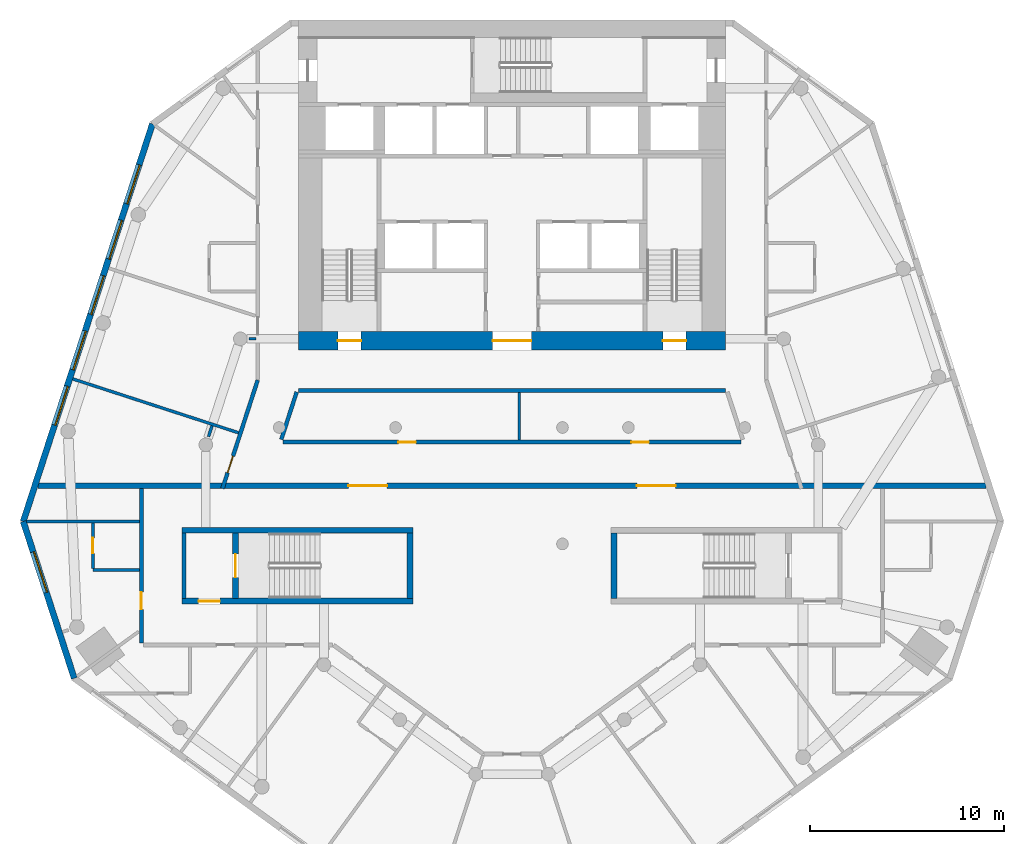
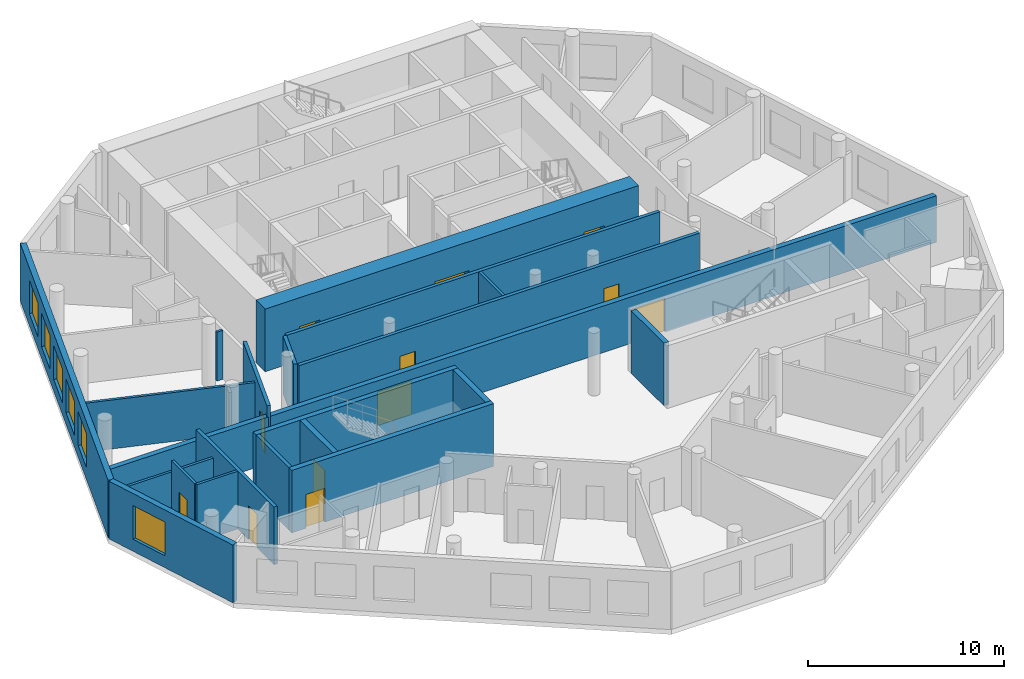
# One storey, part 3 of 9: 22 walls, 12 doors, 6 windows, 18 openings.
"""IFC4 building model written with IfcOpenShell, lengths in metres."""

from ifc_helpers import new_model, si_unit, direction, frame, frame_2d, origin, place, context, subcontext, project, spatial, rectangle, extrude, material, layer, layer_set, type_object, element, fill, save


model = new_model("IFC4")

# Units and contexts
model_context = context("Model", 3, precision=1e-05, world=origin(), true_north=direction((0.0, 1.0)))
body_context = subcontext(model_context, "Body", "Model", "MODEL_VIEW")
ifc_project = project(units=[si_unit("LENGTHUNIT", "METRE"), si_unit("AREAUNIT", "SQUARE_METRE"), si_unit("VOLUMEUNIT", "CUBIC_METRE"), si_unit("PLANEANGLEUNIT", "RADIAN"), si_unit("MASSUNIT", "GRAM", prefix="KILO")], contexts=[model_context])

# Site, building, storey
site_placement = place(None, origin())
site = spatial("IfcSite", under=ifc_project, at=site_placement, CompositionType="ELEMENT")
building_placement = place(site_placement, origin())
building = spatial("IfcBuilding", under=site, at=building_placement, Name="White Candle Pilgrim Tower", CompositionType="ELEMENT")
storey_placement = place(building_placement, frame((0.0, 0.0, 168.10009765625)))
storey = spatial("IfcBuildingStorey", under=building, at=storey_placement, Name="L38", CompositionType="ELEMENT", Elevation=168.10009765625)

# Wall
ifc_material_1 = material(Name="Concrete C60/75", Category="concrete")
ifc_layer_1 = layer(ifc_material_1, 0.199951171875)
ifc_layer_set_1 = layer_set([ifc_layer_1], Name="Core wall 200 mm Concrete C60/75")
wall_type_1 = type_object("IfcWallType", Name="Core wall 200 mm Concrete C60/75", PredefinedType="SHEAR", material=ifc_layer_set_1)
wall_1_placement = place(storey_placement, frame((53.10009765625, 58.199951171875, 0.0), z_axis=(0.0, 0.0, 1.0), x_axis=(0.0, 1.0, 0.0)))
element("IfcWall", 1, at=wall_1_placement, inside=storey, type_object=wall_type_1, Name="WL-L38-C03", PredefinedType="SHEAR", context=body_context, shape_type="SweptSolid", body=[
    extrude(rectangle(XDim=3.35009765625, YDim=0.199951171875, at=frame_2d((1.675048828125, 0.0))), origin(), (0.0, 0.0, 1.0), 3.89990234375),
])

# Wall, opening, door
ifc_material_2 = material(Name="Gypsum board on steel studs", Category="steel")
ifc_layer_2 = layer(ifc_material_2, 0.199951171875)
ifc_layer_set_2 = layer_set([ifc_layer_2], Name="Corridor wall 200 mm EI 45")
wall_type_2 = type_object("IfcWallType", Name="Corridor wall 200 mm EI 45", PredefinedType="PARTITIONING", material=ifc_layer_set_2)
wall_2_placement = place(storey_placement, frame((55.078125, 63.85009765625, 0.0), z_axis=(0.0, 0.0, 1.0), x_axis=(0.309018469575, 0.951056036972, 0.0)))
wall_2 = element("IfcWall", 2, at=wall_2_placement, inside=storey, type_object=wall_type_2, Name="WL-L38-P002", PredefinedType="PARTITIONING", context=body_context, shape_type="SweptSolid", body=[
    extrude(rectangle(XDim=5.879638671875, YDim=0.199951171875, at=frame_2d((2.93994140625, 0.0))), origin(), (0.0, 0.0, 1.0), 3.599853515625),
])
opening_1_placement = place(wall_2_placement, frame((0.861083984375, 0.0, 0.0)))
opening_1 = element("IfcOpeningElement", 3, at=opening_1_placement, cuts=wall_2, Name="Opening T11-124", PredefinedType="OPENING", context=body_context, shape_type="SweptSolid", body=[
    extrude(rectangle(XDim=0.89990234375, YDim=2.10009765625, at=frame_2d((0.449951171875, 1.050048828125))), frame((0.0, 0.10986328125, 0.0), z_axis=(0.0, -1.0, 0.0), x_axis=(1.0, 0.0, 0.0)), (0.0, 0.0, 1.0), 0.219970703125),
])
ifc_material_3 = material(Name="Steel door leaf", Category="steel")
door_type_1 = type_object("IfcDoorType", Name="Fire door 900 x 2100 EI 30", OperationType="NOTDEFINED", PredefinedType="DOOR", material=ifc_material_3)
door_1_placement = place(opening_1_placement, origin())
door_1 = element("IfcDoor", 4, at=door_1_placement, inside=storey, type_object=door_type_1, Name="Door T11-124", OperationType="SINGLE_SWING_RIGHT", OverallHeight=2.10009765625, OverallWidth=0.89990234375, PredefinedType="DOOR", context=body_context, shape_type="SweptSolid", body=[
    extrude(rectangle(XDim=0.89990234375, YDim=2.10009765625, at=frame_2d((0.449951171875, 1.050048828125))), frame((0.0, 0.02490234375, 0.0), z_axis=(0.0, -1.0, 0.0), x_axis=(1.0, 0.0, 0.0)), (0.0, 0.0, 1.0), 0.050048828125),
])
fill(opening_1, door_1)

wall_3_placement = place(storey_placement, frame((50.89990234375, 55.89990234375, 0.0), z_axis=(0.0, 0.0, 1.0), x_axis=(0.0, 1.0, 0.0)))
wall_3 = element("IfcWall", 5, at=wall_3_placement, inside=storey, type_object=wall_type_2, Name="WL-L38-P012", PredefinedType="PARTITIONING", context=body_context, shape_type="SweptSolid", body=[
    extrude(rectangle(XDim=7.9501953125, YDim=0.199951171875, at=frame_2d((3.97509765625, 0.0))), origin(), (0.0, 0.0, 1.0), 3.599853515625),
])
opening_2_placement = place(wall_3_placement, frame((1.72119140625, 0.0, 0.0)))
opening_2 = element("IfcOpeningElement", 6, at=opening_2_placement, cuts=wall_3, Name="Opening T11-103", PredefinedType="OPENING", context=body_context, shape_type="SweptSolid", body=[
    extrude(rectangle(XDim=0.89990234375, YDim=2.10009765625, at=frame_2d((0.449951171875, 1.050048828125))), frame((0.0, 0.10986328125, 0.0), z_axis=(0.0, -1.0, 0.0), x_axis=(1.0, 0.0, 0.0)), (0.0, 0.0, 1.0), 0.219970703125),
])
door_2_placement = place(opening_2_placement, origin())
door_2 = element("IfcDoor", 7, at=door_2_placement, inside=storey, type_object=door_type_1, Name="Door T11-103", OperationType="SINGLE_SWING_LEFT", OverallHeight=2.10009765625, OverallWidth=0.89990234375, PredefinedType="DOOR", context=body_context, shape_type="SweptSolid", body=[
    extrude(rectangle(XDim=0.89990234375, YDim=2.10009765625, at=frame_2d((0.449951171875, 1.050048828125))), frame((0.0, 0.02490234375, 0.0), z_axis=(0.0, -1.0, 0.0), x_axis=(1.0, 0.0, 0.0)), (0.0, 0.0, 1.0), 0.050048828125),
])
fill(opening_2, door_2)

# Walls
wall_4_placement = place(storey_placement, frame((81.000244140625, 68.89990234375, 0.0), z_axis=(0.0, 0.0, 1.0), x_axis=(-1.0, 0.0, 0.0)))
element("IfcWall", 8, at=wall_4_placement, inside=storey, type_object=wall_type_2, Name="WL-L38-P013", PredefinedType="PARTITIONING", context=body_context, shape_type="SweptSolid", body=[
    extrude(rectangle(XDim=22.00048828125, YDim=0.199951171875, at=frame_2d((11.000244140625, 0.0))), origin(), (0.0, 0.0, 1.0), 3.599853515625),
])
wall_5_placement = place(storey_placement, frame((58.90478515625, 68.830810546875, 0.0), z_axis=(0.0, 0.0, 1.0), x_axis=(-0.309053927645, -0.951044515155, 0.0)))
element("IfcWall", 9, at=wall_5_placement, inside=storey, type_object=wall_type_2, Name="WL-L38-P014", PredefinedType="PARTITIONING", context=body_context, shape_type="SweptSolid", body=[
    extrude(rectangle(XDim=2.576171875, YDim=0.199951171875, at=frame_2d((1.2880859375, 0.0))), origin(), (0.0, 0.0, 1.0), 3.599853515625),
])

# Wall, openings, doors
wall_6_placement = place(storey_placement, frame((58.20361328125, 66.25, 0.0), z_axis=(0.0, 0.0, 1.0), x_axis=(1.0, 0.0, 0.0)))
wall_6 = element("IfcWall", 10, at=wall_6_placement, inside=storey, type_object=wall_type_2, Name="WL-L38-P015", PredefinedType="PARTITIONING", context=body_context, shape_type="SweptSolid", body=[
    extrude(rectangle(XDim=23.5927734375, YDim=0.199951171875, at=frame_2d((11.79638671875, 0.0))), origin(), (0.0, 0.0, 1.0), 3.599853515625),
])
opening_3_placement = place(wall_6_placement, frame((5.94091796875, 0.0, 0.0)))
opening_3 = element("IfcOpeningElement", 11, at=opening_3_placement, cuts=wall_6, Name="Opening T11-122", PredefinedType="OPENING", context=body_context, shape_type="SweptSolid", body=[
    extrude(rectangle(XDim=0.89990234375, YDim=2.10009765625, at=frame_2d((0.449951171875, 1.050048828125))), frame((0.0, 0.10986328125, 0.0), z_axis=(0.0, -1.0, 0.0), x_axis=(1.0, 0.0, 0.0)), (0.0, 0.0, 1.0), 0.219970703125),
])
opening_4_placement = place(wall_6_placement, frame((17.949951171875, 0.0, 0.0)))
opening_4 = element("IfcOpeningElement", 12, at=opening_4_placement, cuts=wall_6, Name="Opening T11-123", PredefinedType="OPENING", context=body_context, shape_type="SweptSolid", body=[
    extrude(rectangle(XDim=0.89990234375, YDim=2.10009765625, at=frame_2d((0.449951171875, 1.050048828125))), frame((0.0, 0.10986328125, 0.0), z_axis=(0.0, -1.0, 0.0), x_axis=(1.0, 0.0, 0.0)), (0.0, 0.0, 1.0), 0.219970703125),
])
door_3_placement = place(opening_3_placement, origin())
door_3 = element("IfcDoor", 13, at=door_3_placement, inside=storey, type_object=door_type_1, Name="Door T11-122", OperationType="SINGLE_SWING_RIGHT", OverallHeight=2.10009765625, OverallWidth=0.89990234375, PredefinedType="DOOR", context=body_context, shape_type="SweptSolid", body=[
    extrude(rectangle(XDim=0.89990234375, YDim=2.10009765625, at=frame_2d((0.449951171875, 1.050048828125))), frame((0.0, 0.02490234375, 0.0), z_axis=(0.0, -1.0, 0.0), x_axis=(1.0, 0.0, 0.0)), (0.0, 0.0, 1.0), 0.050048828125),
])
fill(opening_3, door_3)
door_4_placement = place(opening_4_placement, origin())
door_4 = element("IfcDoor", 14, at=door_4_placement, inside=storey, type_object=door_type_1, Name="Door T11-123", OperationType="SINGLE_SWING_RIGHT", OverallHeight=2.10009765625, OverallWidth=0.89990234375, PredefinedType="DOOR", context=body_context, shape_type="SweptSolid", body=[
    extrude(rectangle(XDim=0.89990234375, YDim=2.10009765625, at=frame_2d((0.449951171875, 1.050048828125))), frame((0.0, 0.02490234375, 0.0), z_axis=(0.0, -1.0, 0.0), x_axis=(1.0, 0.0, 0.0)), (0.0, 0.0, 1.0), 0.050048828125),
])
fill(opening_4, door_4)

# Wall, opening, window
ifc_material_4 = material(Name="Precast concrete C40/50", Category="concrete")
ifc_layer_3 = layer(ifc_material_4, 0.320068359375)
ifc_layer_set_3 = layer_set([ifc_layer_3], Name="Facade wall EW1 precast concrete C40/50 pier wall with timber-lined reveals")
wall_type_3 = type_object("IfcWallType", Name="Facade wall EW1 precast concrete C40/50 pier wall with timber-lined reveals", PredefinedType="SOLIDWALL", material=ifc_layer_set_3)
wall_7_placement = place(storey_placement, frame((44.81298828125, 62.158447265625, 0.0), z_axis=(0.0, 0.0, 1.0), x_axis=(0.30900946713, -0.951058962012, 0.0)))
wall_7 = element("IfcWall", 15, at=wall_7_placement, inside=storey, type_object=wall_type_3, Name="Facade wall L38 W chamfer", PredefinedType="SOLIDWALL", context=body_context, shape_type="SweptSolid", body=[
    extrude(rectangle(XDim=8.503662109375, YDim=0.320068359375, at=frame_2d((4.251953125, 0.0))), origin(), (0.0, 0.0, 1.0), 3.599853515625),
])
opening_5_placement = place(wall_7_placement, frame((1.65185546875, 0.0, 0.75)))
opening_5 = element("IfcOpeningElement", 16, at=opening_5_placement, cuts=wall_7, Name="Opening W4", PredefinedType="OPENING", context=body_context, shape_type="SweptSolid", body=[
    extrude(rectangle(XDim=2.199951171875, YDim=2.10009765625, at=frame_2d((1.10009765625, 1.050048828125))), frame((0.0, 0.169921875, 0.0), z_axis=(0.0, -1.0, 0.0), x_axis=(1.0, 0.0, 0.0)), (0.0, 0.0, 1.0), 0.340087890625),
])
ifc_material_5 = material(Name="Timber frame with triple glazing", Category="wood")
window_type_1 = type_object("IfcWindowType", Name="Window W4 2200x2100 timber frame triple glazing", PartitioningType="SINGLE_PANEL", PredefinedType="WINDOW", material=ifc_material_5)
window_1_placement = place(opening_5_placement, origin())
window_1 = element("IfcWindow", 17, at=window_1_placement, inside=storey, type_object=window_type_1, Name="Window W4 L38 W chamfer 1", OverallHeight=2.10009765625, OverallWidth=2.199951171875, PartitioningType="SINGLE_PANEL", PredefinedType="WINDOW", context=body_context, shape_type="SweptSolid", body=[
    extrude(rectangle(XDim=2.199951171875, YDim=2.10009765625, at=frame_2d((1.10009765625, 1.050048828125))), frame((0.0, 0.070068359375, 0.0), z_axis=(0.0, -1.0, 0.0), x_axis=(1.0, 0.0, 0.0)), (0.0, 0.0, 1.0), 0.06005859375),
])
fill(opening_5, window_1)

# Wall, openings, windows
wall_8_placement = place(storey_placement, frame((51.470947265625, 82.649658203125, 0.0), z_axis=(0.0, 0.0, 1.0), x_axis=(-0.309015355068, -0.951057048937, 0.0)))
wall_8 = element("IfcWall", 18, at=wall_8_placement, inside=storey, type_object=wall_type_3, Name="Facade wall L38 WNW", PredefinedType="SOLIDWALL", context=body_context, shape_type="SweptSolid", body=[
    extrude(rectangle(XDim=21.545654296875, YDim=0.320068359375, at=frame_2d((10.77294921875, 0.0))), origin(), (0.0, 0.0, 1.0), 3.599853515625),
])
opening_6_placement = place(wall_8_placement, frame((2.222900390625, 0.0, 0.75)))
opening_6 = element("IfcOpeningElement", 19, at=opening_6_placement, cuts=wall_8, Name="Opening W3", PredefinedType="OPENING", context=body_context, shape_type="SweptSolid", body=[
    extrude(rectangle(XDim=2.10009765625, YDim=2.10009765625, at=frame_2d((1.050048828125, 1.050048828125))), frame((0.0, 0.169921875, 0.0), z_axis=(0.0, -1.0, 0.0), x_axis=(1.0, 0.0, 0.0)), (0.0, 0.0, 1.0), 0.340087890625),
])
opening_7_placement = place(wall_8_placement, frame((5.222900390625, 0.0, 0.75)))
opening_7 = element("IfcOpeningElement", 20, at=opening_7_placement, cuts=wall_8, Name="Opening W3", PredefinedType="OPENING", context=body_context, shape_type="SweptSolid", body=[
    extrude(rectangle(XDim=2.10009765625, YDim=2.10009765625, at=frame_2d((1.050048828125, 1.050048828125))), frame((0.0, 0.169921875, 0.0), z_axis=(0.0, -1.0, 0.0), x_axis=(1.0, 0.0, 0.0)), (0.0, 0.0, 1.0), 0.340087890625),
])
opening_8_placement = place(wall_8_placement, frame((8.222900390625, 0.0, 0.75)))
opening_8 = element("IfcOpeningElement", 21, at=opening_8_placement, cuts=wall_8, Name="Opening W3", PredefinedType="OPENING", context=body_context, shape_type="SweptSolid", body=[
    extrude(rectangle(XDim=2.10009765625, YDim=2.10009765625, at=frame_2d((1.050048828125, 1.050048828125))), frame((0.0, 0.169921875, 0.0), z_axis=(0.0, -1.0, 0.0), x_axis=(1.0, 0.0, 0.0)), (0.0, 0.0, 1.0), 0.340087890625),
])
opening_9_placement = place(wall_8_placement, frame((11.222900390625, 0.0, 0.75)))
opening_9 = element("IfcOpeningElement", 22, at=opening_9_placement, cuts=wall_8, Name="Opening W3", PredefinedType="OPENING", context=body_context, shape_type="SweptSolid", body=[
    extrude(rectangle(XDim=2.10009765625, YDim=2.10009765625, at=frame_2d((1.050048828125, 1.050048828125))), frame((0.0, 0.169921875, 0.0), z_axis=(0.0, -1.0, 0.0), x_axis=(1.0, 0.0, 0.0)), (0.0, 0.0, 1.0), 0.340087890625),
])
opening_10_placement = place(wall_8_placement, frame((14.222900390625, 0.0, 0.75)))
opening_10 = element("IfcOpeningElement", 23, at=opening_10_placement, cuts=wall_8, Name="Opening W3", PredefinedType="OPENING", context=body_context, shape_type="SweptSolid", body=[
    extrude(rectangle(XDim=2.10009765625, YDim=2.10009765625, at=frame_2d((1.050048828125, 1.050048828125))), frame((0.0, 0.169921875, 0.0), z_axis=(0.0, -1.0, 0.0), x_axis=(1.0, 0.0, 0.0)), (0.0, 0.0, 1.0), 0.340087890625),
])
window_type_2 = type_object("IfcWindowType", Name="Window W3 2100x2100 timber frame triple glazing", PartitioningType="SINGLE_PANEL", PredefinedType="WINDOW", material=ifc_material_5)
window_2_placement = place(opening_6_placement, origin())
window_2 = element("IfcWindow", 24, at=window_2_placement, inside=storey, type_object=window_type_2, Name="Window W3 L38 WNW 1", OverallHeight=2.10009765625, OverallWidth=2.10009765625, PartitioningType="SINGLE_PANEL", PredefinedType="WINDOW", context=body_context, shape_type="SweptSolid", body=[
    extrude(rectangle(XDim=2.10009765625, YDim=2.10009765625, at=frame_2d((1.050048828125, 1.050048828125))), frame((0.0, 0.070068359375, 0.0), z_axis=(0.0, -1.0, 0.0), x_axis=(1.0, 0.0, 0.0)), (0.0, 0.0, 1.0), 0.06005859375),
])
fill(opening_6, window_2)
window_3_placement = place(opening_7_placement, origin())
window_3 = element("IfcWindow", 25, at=window_3_placement, inside=storey, type_object=window_type_2, Name="Window W3 L38 WNW 2", OverallHeight=2.10009765625, OverallWidth=2.10009765625, PartitioningType="SINGLE_PANEL", PredefinedType="WINDOW", context=body_context, shape_type="SweptSolid", body=[
    extrude(rectangle(XDim=2.10009765625, YDim=2.10009765625, at=frame_2d((1.050048828125, 1.050048828125))), frame((0.0, 0.070068359375, 0.0), z_axis=(0.0, -1.0, 0.0), x_axis=(1.0, 0.0, 0.0)), (0.0, 0.0, 1.0), 0.06005859375),
])
fill(opening_7, window_3)
window_4_placement = place(opening_8_placement, origin())
window_4 = element("IfcWindow", 26, at=window_4_placement, inside=storey, type_object=window_type_2, Name="Window W3 L38 WNW 3", OverallHeight=2.10009765625, OverallWidth=2.10009765625, PartitioningType="SINGLE_PANEL", PredefinedType="WINDOW", context=body_context, shape_type="SweptSolid", body=[
    extrude(rectangle(XDim=2.10009765625, YDim=2.10009765625, at=frame_2d((1.050048828125, 1.050048828125))), frame((0.0, 0.070068359375, 0.0), z_axis=(0.0, -1.0, 0.0), x_axis=(1.0, 0.0, 0.0)), (0.0, 0.0, 1.0), 0.06005859375),
])
fill(opening_8, window_4)
window_5_placement = place(opening_9_placement, origin())
window_5 = element("IfcWindow", 27, at=window_5_placement, inside=storey, type_object=window_type_2, Name="Window W3 L38 WNW 4", OverallHeight=2.10009765625, OverallWidth=2.10009765625, PartitioningType="SINGLE_PANEL", PredefinedType="WINDOW", context=body_context, shape_type="SweptSolid", body=[
    extrude(rectangle(XDim=2.10009765625, YDim=2.10009765625, at=frame_2d((1.050048828125, 1.050048828125))), frame((0.0, 0.070068359375, 0.0), z_axis=(0.0, -1.0, 0.0), x_axis=(1.0, 0.0, 0.0)), (0.0, 0.0, 1.0), 0.06005859375),
])
fill(opening_9, window_5)
window_6_placement = place(opening_10_placement, origin())
window_6 = element("IfcWindow", 28, at=window_6_placement, inside=storey, type_object=window_type_2, Name="Window W3 L38 WNW 5", OverallHeight=2.10009765625, OverallWidth=2.10009765625, PartitioningType="SINGLE_PANEL", PredefinedType="WINDOW", context=body_context, shape_type="SweptSolid", body=[
    extrude(rectangle(XDim=2.10009765625, YDim=2.10009765625, at=frame_2d((1.050048828125, 1.050048828125))), frame((0.0, 0.070068359375, 0.0), z_axis=(0.0, -1.0, 0.0), x_axis=(1.0, 0.0, 0.0)), (0.0, 0.0, 1.0), 0.06005859375),
])
fill(opening_10, window_6)

# Wall, openings, doors
ifc_material_6 = material(Name="Aerated concrete block", Category="concrete")
ifc_layer_4 = layer(ifc_material_6, 0.300048828125)
ifc_layer_set_4 = layer_set([ifc_layer_4], Name="Fire wall 300 mm REI 240")
wall_type_4 = type_object("IfcWallType", Name="Fire wall 300 mm REI 240", PredefinedType="PARTITIONING", material=ifc_layer_set_4)
wall_9_placement = place(storey_placement, frame((45.57958984375, 64.0, 0.0), z_axis=(0.0, 0.0, 1.0), x_axis=(1.0, 0.0, 0.0)))
wall_9 = element("IfcWall", 29, at=wall_9_placement, inside=storey, type_object=wall_type_4, Name="WL-L38-P001", PredefinedType="PARTITIONING", context=body_context, shape_type="SweptSolid", body=[
    extrude(rectangle(XDim=48.8408203125, YDim=0.300048828125, at=frame_2d((24.42041015625, 0.0))), origin(), (0.0, 0.0, 1.0), 2.89990234375),
])
opening_11_placement = place(wall_9_placement, frame((15.98388671875, 0.0, 0.0)))
opening_11 = element("IfcOpeningElement", 30, at=opening_11_placement, cuts=wall_9, Name="Opening T11-120", PredefinedType="OPENING", context=body_context, shape_type="SweptSolid", body=[
    extrude(rectangle(XDim=2.0, YDim=2.10009765625, at=frame_2d((1.0, 1.050048828125))), frame((0.0, 0.159912109375, 0.0), z_axis=(0.0, -1.0, 0.0), x_axis=(1.0, 0.0, 0.0)), (0.0, 0.0, 1.0), 0.320068359375),
])
opening_12_placement = place(wall_9_placement, frame((30.856689453125, 0.0, 0.0)))
opening_12 = element("IfcOpeningElement", 31, at=opening_12_placement, cuts=wall_9, Name="Opening T11-121", PredefinedType="OPENING", context=body_context, shape_type="SweptSolid", body=[
    extrude(rectangle(XDim=2.0, YDim=2.10009765625, at=frame_2d((1.0, 1.050048828125))), frame((0.0, 0.159912109375, 0.0), z_axis=(0.0, -1.0, 0.0), x_axis=(1.0, 0.0, 0.0)), (0.0, 0.0, 1.0), 0.320068359375),
])
door_type_2 = type_object("IfcDoorType", Name="Fire door 2000 x 2100 EI 60", OperationType="NOTDEFINED", PredefinedType="DOOR", material=ifc_material_3)
door_5_placement = place(opening_11_placement, origin())
door_5 = element("IfcDoor", 32, at=door_5_placement, inside=storey, type_object=door_type_2, Name="Door T11-120", OperationType="DOUBLE_DOOR_SINGLE_SWING", OverallHeight=2.10009765625, OverallWidth=2.0, PredefinedType="DOOR", context=body_context, shape_type="SweptSolid", body=[
    extrude(rectangle(XDim=2.0, YDim=2.10009765625, at=frame_2d((1.0, 1.050048828125))), frame((0.0, 0.02490234375, 0.0), z_axis=(0.0, -1.0, 0.0), x_axis=(1.0, 0.0, 0.0)), (0.0, 0.0, 1.0), 0.050048828125),
])
fill(opening_11, door_5)
door_6_placement = place(opening_12_placement, origin())
door_6 = element("IfcDoor", 33, at=door_6_placement, inside=storey, type_object=door_type_2, Name="Door T11-121", OperationType="DOUBLE_DOOR_SINGLE_SWING", OverallHeight=2.10009765625, OverallWidth=2.0, PredefinedType="DOOR", context=body_context, shape_type="SweptSolid", body=[
    extrude(rectangle(XDim=2.0, YDim=2.10009765625, at=frame_2d((1.0, 1.050048828125))), frame((0.0, 0.02490234375, 0.0), z_axis=(0.0, -1.0, 0.0), x_axis=(1.0, 0.0, 0.0)), (0.0, 0.0, 1.0), 0.050048828125),
])
fill(opening_12, door_6)

# Walls
ifc_layer_5 = layer(ifc_material_2, 0.14990234375)
ifc_layer_set_5 = layer_set([ifc_layer_5], Name="Partition 150 mm EI 60")
wall_type_5 = type_object("IfcWallType", Name="Partition 150 mm EI 60", PredefinedType="PARTITIONING", material=ifc_layer_set_5)
wall_10_placement = place(storey_placement, frame((44.981201171875, 62.158447265625, 0.0), z_axis=(0.0, 0.0, 1.0), x_axis=(1.0, 0.0, 0.0)))
element("IfcWall", 34, at=wall_10_placement, inside=storey, type_object=wall_type_5, Name="WL-L38-P018", PredefinedType="PARTITIONING", context=body_context, shape_type="SweptSolid", body=[
    extrude(rectangle(XDim=5.81884765625, YDim=0.14990234375, at=frame_2d((2.909423828125, 0.0))), origin(), (0.0, 0.0, 1.0), 2.89990234375),
])
wall_11_placement = place(storey_placement, frame((47.3671875, 69.50146484375, 0.0), z_axis=(0.0, 0.0, 1.0), x_axis=(0.951051249243, -0.309033204224, 0.0)))
element("IfcWall", 35, at=wall_11_placement, inside=storey, type_object=wall_type_5, Name="WL-L38-P027", PredefinedType="PARTITIONING", context=body_context, shape_type="SweptSolid", body=[
    extrude(rectangle(XDim=8.97998046875, YDim=0.14990234375, at=frame_2d((4.489990234375, 0.0))), origin(), (0.0, 0.0, 1.0), 3.0498046875),
])
wall_12_placement = place(storey_placement, frame((50.800048828125, 59.658447265625, 0.0), z_axis=(0.0, 0.0, 1.0), x_axis=(-1.0, 0.0, 0.0)))
element("IfcWall", 36, at=wall_12_placement, inside=storey, type_object=wall_type_5, Name="WL-L38-P031", PredefinedType="PARTITIONING", context=body_context, shape_type="SweptSolid", body=[
    extrude(rectangle(XDim=2.400146484375, YDim=0.14990234375, at=frame_2d((1.2001953125, 0.0))), origin(), (0.0, 0.0, 1.0), 3.599853515625),
])

# Wall, opening, door
wall_13_placement = place(storey_placement, frame((48.39990234375, 62.08349609375, 0.0), z_axis=(0.0, 0.0, 1.0), x_axis=(0.0, -1.0, 0.0)))
wall_13 = element("IfcWall", 37, at=wall_13_placement, inside=storey, type_object=wall_type_5, Name="WL-L38-P032", PredefinedType="PARTITIONING", context=body_context, shape_type="SweptSolid", body=[
    extrude(rectangle(XDim=2.35009765625, YDim=0.14990234375, at=frame_2d((1.175048828125, 0.0))), origin(), (0.0, 0.0, 1.0), 3.599853515625),
])
opening_13_placement = place(wall_13_placement, frame((0.77490234375, 0.0, 0.0)))
opening_13 = element("IfcOpeningElement", 38, at=opening_13_placement, cuts=wall_13, Name="Opening T11-102", PredefinedType="OPENING", context=body_context, shape_type="SweptSolid", body=[
    extrude(rectangle(XDim=0.800048828125, YDim=2.10009765625, at=frame_2d((0.39990234375, 1.050048828125))), frame((0.0, 0.0849609375, 0.0), z_axis=(0.0, -1.0, 0.0), x_axis=(1.0, 0.0, 0.0)), (0.0, 0.0, 1.0), 0.169921875),
])
door_type_3 = type_object("IfcDoorType", Name="Fire door 800 x 2100 EI 30", OperationType="NOTDEFINED", PredefinedType="DOOR", material=ifc_material_3)
door_7_placement = place(opening_13_placement, frame((0.800048828125, 0.0, 0.0), z_axis=(0.0, 0.0, 1.0), x_axis=(-1.0, 0.0, 0.0)))
door_7 = element("IfcDoor", 39, at=door_7_placement, inside=storey, type_object=door_type_3, Name="Door T11-102", OperationType="SINGLE_SWING_LEFT", OverallHeight=2.10009765625, OverallWidth=0.800048828125, PredefinedType="DOOR", context=body_context, shape_type="SweptSolid", body=[
    extrude(rectangle(XDim=0.800048828125, YDim=2.10009765625, at=frame_2d((0.39990234375, 1.050048828125))), frame((0.0, 0.02490234375, 0.0), z_axis=(0.0, -1.0, 0.0), x_axis=(1.0, 0.0, 0.0)), (0.0, 0.0, 1.0), 0.050048828125),
])
fill(opening_13, door_7)

# Walls
wall_14_placement = place(storey_placement, frame((70.373291015625, 66.35009765625, 0.0), z_axis=(0.0, 0.0, 1.0), x_axis=(0.0, 1.0, 0.0)))
element("IfcWall", 40, at=wall_14_placement, inside=storey, type_object=wall_type_5, Name="WL-L38-P055", PredefinedType="PARTITIONING", context=body_context, shape_type="SweptSolid", body=[
    extrude(rectangle(XDim=2.449951171875, YDim=0.14990234375, at=frame_2d((1.22509765625, 0.0))), origin(), (0.0, 0.0, 1.0), 3.599853515625),
])
wall_15_placement = place(storey_placement, frame((56.43994140625, 71.572265625, 0.0), z_axis=(0.0, 0.0, 1.0), x_axis=(1.0, 0.0, 0.0)))
element("IfcWall", 41, at=wall_15_placement, inside=storey, type_object=wall_type_5, Name="WL-L38-P063", PredefinedType="PARTITIONING", context=body_context, shape_type="SweptSolid", body=[
    extrude(rectangle(XDim=0.360107421875, YDim=0.14990234375, at=frame_2d((0.18017578125, 0.0))), origin(), (0.0, 0.0, 1.0), 3.0498046875),
])
wall_16_placement = place(storey_placement, frame((54.35888671875, 66.52734375, 0.0), z_axis=(0.0, 0.0, 1.0), x_axis=(0.309179160729, 0.951003809966, 0.0)))
element("IfcWall", 42, at=wall_16_placement, inside=storey, type_object=wall_type_5, Name="WL-L38-P064", PredefinedType="PARTITIONING", context=body_context, shape_type="SweptSolid", body=[
    extrude(rectangle(XDim=0.593017578125, YDim=0.14990234375, at=frame_2d((0.29638671875, 0.0))), origin(), (0.0, 0.0, 1.0), 3.0498046875),
])

# Wall, opening, door
ifc_layer_6 = layer(ifc_material_1, 0.300048828125)
ifc_layer_set_6 = layer_set([ifc_layer_6], Name="Stair shaft wall 300 mm Concrete C60/75")
wall_type_6 = type_object("IfcWallType", Name="Stair shaft wall 300 mm Concrete C60/75", PredefinedType="SHEAR", material=ifc_layer_set_6)
wall_17_placement = place(storey_placement, frame((53.0, 58.050048828125, 0.0), z_axis=(0.0, 0.0, 1.0), x_axis=(1.0, 0.0, 0.0)))
wall_17 = element("IfcWall", 43, at=wall_17_placement, inside=storey, type_object=wall_type_6, Name="WL-L38-C01", PredefinedType="SHEAR", context=body_context, shape_type="SweptSolid", body=[
    extrude(rectangle(XDim=11.89990234375, YDim=0.300048828125, at=frame_2d((5.949951171875, 0.0))), origin(), (0.0, 0.0, 1.0), 3.89990234375),
])
opening_14_placement = place(wall_17_placement, frame((0.85009765625, 0.0, 0.0)))
opening_14 = element("IfcOpeningElement", 44, at=opening_14_placement, cuts=wall_17, Name="Opening T11-010", PredefinedType="OPENING", context=body_context, shape_type="SweptSolid", body=[
    extrude(rectangle(XDim=1.10009765625, YDim=2.10009765625, at=frame_2d((0.550048828125, 1.050048828125))), frame((0.0, 0.159912109375, 0.0), z_axis=(0.0, -1.0, 0.0), x_axis=(1.0, 0.0, 0.0)), (0.0, 0.0, 1.0), 0.320068359375),
])
door_type_4 = type_object("IfcDoorType", Name="Fire door 1100 x 2100 EI 60", OperationType="NOTDEFINED", PredefinedType="DOOR", material=ifc_material_3)
door_8_placement = place(opening_14_placement, origin())
door_8 = element("IfcDoor", 45, at=door_8_placement, inside=storey, type_object=door_type_4, Name="Door T11-010", OperationType="SINGLE_SWING_RIGHT", OverallHeight=2.10009765625, OverallWidth=1.10009765625, PredefinedType="DOOR", context=body_context, shape_type="SweptSolid", body=[
    extrude(rectangle(XDim=1.10009765625, YDim=2.10009765625, at=frame_2d((0.550048828125, 1.050048828125))), frame((0.0, 0.02490234375, 0.0), z_axis=(0.0, -1.0, 0.0), x_axis=(1.0, 0.0, 0.0)), (0.0, 0.0, 1.0), 0.050048828125),
])
fill(opening_14, door_8)

wall_18_placement = place(storey_placement, frame((55.75, 58.199951171875, 0.0), z_axis=(0.0, 0.0, 1.0), x_axis=(0.0, 1.0, 0.0)))
wall_18 = element("IfcWall", 46, at=wall_18_placement, inside=storey, type_object=wall_type_6, Name="WL-L38-C04", PredefinedType="SHEAR", context=body_context, shape_type="SweptSolid", body=[
    extrude(rectangle(XDim=3.35009765625, YDim=0.300048828125, at=frame_2d((1.675048828125, 0.0))), origin(), (0.0, 0.0, 1.0), 3.89990234375),
])
opening_15_placement = place(wall_18_placement, frame((1.074951171875, 0.0, 0.0)))
opening_15 = element("IfcOpeningElement", 47, at=opening_15_placement, cuts=wall_18, Name="Opening T11-011", PredefinedType="OPENING", context=body_context, shape_type="SweptSolid", body=[
    extrude(rectangle(XDim=1.199951171875, YDim=2.10009765625, at=frame_2d((0.60009765625, 1.050048828125))), frame((0.0, 0.159912109375, 0.0), z_axis=(0.0, -1.0, 0.0), x_axis=(1.0, 0.0, 0.0)), (0.0, 0.0, 1.0), 0.320068359375),
])
door_type_5 = type_object("IfcDoorType", Name="Fire door 1200 x 2100 EI 60", OperationType="NOTDEFINED", PredefinedType="DOOR", material=ifc_material_3)
door_9_placement = place(opening_15_placement, frame((1.199951171875, 0.0, 0.0), z_axis=(0.0, 0.0, 1.0), x_axis=(-1.0, 0.0, 0.0)))
door_9 = element("IfcDoor", 48, at=door_9_placement, inside=storey, type_object=door_type_5, Name="Door T11-011", OperationType="SINGLE_SWING_RIGHT", OverallHeight=2.10009765625, OverallWidth=1.199951171875, PredefinedType="DOOR", context=body_context, shape_type="SweptSolid", body=[
    extrude(rectangle(XDim=1.199951171875, YDim=2.10009765625, at=frame_2d((0.60009765625, 1.050048828125))), frame((0.0, 0.02490234375, 0.0), z_axis=(0.0, -1.0, 0.0), x_axis=(1.0, 0.0, 0.0)), (0.0, 0.0, 1.0), 0.050048828125),
])
fill(opening_15, door_9)

# Walls
for number, where, z_axis, x_axis, name in (
    (49, (64.75, 58.199951171875, 0.0), (0.0, 0.0, 1.0), (0.0, 1.0, 0.0), "WL-L38-C05"),
    (50, (75.25, 58.199951171875, 0.0), (0.0, 0.0, 1.0), (0.0, 1.0, 0.0), "WL-L38-C06"),
):
    element("IfcWall", number, at=place(storey_placement, frame(where, z_axis=z_axis, x_axis=x_axis)), inside=storey, type_object=wall_type_6, Name=name, PredefinedType="SHEAR", context=body_context, shape_type="SweptSolid", body=[
        extrude(rectangle(XDim=3.35009765625, YDim=0.300048828125, at=frame_2d((1.675048828125, 0.0))), origin(), (0.0, 0.0, 1.0), 3.89990234375),
    ])
wall_19_placement = place(storey_placement, frame((53.0, 61.699951171875, 0.0), z_axis=(0.0, 0.0, 1.0), x_axis=(1.0, 0.0, 0.0)))
element("IfcWall", 51, at=wall_19_placement, inside=storey, type_object=wall_type_6, Name="WL-L38-C09", PredefinedType="SHEAR", context=body_context, shape_type="SweptSolid", body=[
    extrude(rectangle(XDim=11.89990234375, YDim=0.300048828125, at=frame_2d((5.949951171875, 0.0))), origin(), (0.0, 0.0, 1.0), 3.89990234375),
])

# Wall, openings, doors
ifc_layer_7 = layer(ifc_material_1, 0.949951171875)
ifc_layer_set_7 = layer_set([ifc_layer_7], Name="Stair shaft wall 950 mm Concrete C60/75")
wall_type_7 = type_object("IfcWallType", Name="Stair shaft wall 950 mm Concrete C60/75", PredefinedType="SHEAR", material=ifc_layer_set_7)
wall_20_placement = place(storey_placement, frame((59.0, 71.47509765625, 0.0), z_axis=(0.0, 0.0, 1.0), x_axis=(1.0, 0.0, 0.0)))
wall_20 = element("IfcWall", 52, at=wall_20_placement, inside=storey, type_object=wall_type_7, Name="WL-L38-C11", PredefinedType="SHEAR", context=body_context, shape_type="SweptSolid", body=[
    extrude(rectangle(XDim=22.0, YDim=0.949951171875, at=frame_2d((11.0, 0.0))), origin(), (0.0, 0.0, 1.0), 3.89990234375),
])
opening_16_placement = place(wall_20_placement, frame((2.02490234375, 0.0, 0.0)))
opening_16 = element("IfcOpeningElement", 53, at=opening_16_placement, cuts=wall_20, Name="Opening T11-001", PredefinedType="OPENING", context=body_context, shape_type="SweptSolid", body=[
    extrude(rectangle(XDim=1.199951171875, YDim=2.10009765625, at=frame_2d((0.60009765625, 1.050048828125))), frame((0.0, 0.48486328125, 0.0), z_axis=(0.0, -1.0, 0.0), x_axis=(1.0, 0.0, 0.0)), (0.0, 0.0, 1.0), 0.969970703125),
])
opening_17_placement = place(wall_20_placement, frame((18.77490234375, 0.0, 0.0)))
opening_17 = element("IfcOpeningElement", 54, at=opening_17_placement, cuts=wall_20, Name="Opening T11-002", PredefinedType="OPENING", context=body_context, shape_type="SweptSolid", body=[
    extrude(rectangle(XDim=1.199951171875, YDim=2.10009765625, at=frame_2d((0.60009765625, 1.050048828125))), frame((0.0, 0.48486328125, 0.0), z_axis=(0.0, -1.0, 0.0), x_axis=(1.0, 0.0, 0.0)), (0.0, 0.0, 1.0), 0.969970703125),
])
opening_18_placement = place(wall_20_placement, frame((10.0, 0.0, 0.0)))
opening_18 = element("IfcOpeningElement", 55, at=opening_18_placement, cuts=wall_20, Name="Opening T11-004", PredefinedType="OPENING", context=body_context, shape_type="SweptSolid", body=[
    extrude(rectangle(XDim=2.0, YDim=2.10009765625, at=frame_2d((1.0, 1.050048828125))), frame((0.0, 0.48486328125, 0.0), z_axis=(0.0, -1.0, 0.0), x_axis=(1.0, 0.0, 0.0)), (0.0, 0.0, 1.0), 0.969970703125),
])
door_10_placement = place(opening_16_placement, frame((1.199951171875, 0.0, 0.0), z_axis=(0.0, 0.0, 1.0), x_axis=(-1.0, 0.0, 0.0)))
door_10 = element("IfcDoor", 56, at=door_10_placement, inside=storey, type_object=door_type_5, Name="Door T11-001", OperationType="SINGLE_SWING_RIGHT", OverallHeight=2.10009765625, OverallWidth=1.199951171875, PredefinedType="DOOR", context=body_context, shape_type="SweptSolid", body=[
    extrude(rectangle(XDim=1.199951171875, YDim=2.10009765625, at=frame_2d((0.60009765625, 1.050048828125))), frame((0.0, 0.02490234375, 0.0), z_axis=(0.0, -1.0, 0.0), x_axis=(1.0, 0.0, 0.0)), (0.0, 0.0, 1.0), 0.050048828125),
])
fill(opening_16, door_10)
door_11_placement = place(opening_17_placement, frame((1.199951171875, 0.0, 0.0), z_axis=(0.0, 0.0, 1.0), x_axis=(-1.0, 0.0, 0.0)))
door_11 = element("IfcDoor", 57, at=door_11_placement, inside=storey, type_object=door_type_5, Name="Door T11-002", OperationType="SINGLE_SWING_LEFT", OverallHeight=2.10009765625, OverallWidth=1.199951171875, PredefinedType="DOOR", context=body_context, shape_type="SweptSolid", body=[
    extrude(rectangle(XDim=1.199951171875, YDim=2.10009765625, at=frame_2d((0.60009765625, 1.050048828125))), frame((0.0, 0.02490234375, 0.0), z_axis=(0.0, -1.0, 0.0), x_axis=(1.0, 0.0, 0.0)), (0.0, 0.0, 1.0), 0.050048828125),
])
fill(opening_17, door_11)
door_12_placement = place(opening_18_placement, frame((2.0, 0.0, 0.0), z_axis=(0.0, 0.0, 1.0), x_axis=(-1.0, 0.0, 0.0)))
door_12 = element("IfcDoor", 58, at=door_12_placement, inside=storey, type_object=door_type_2, Name="Door T11-004", OperationType="DOUBLE_DOOR_SINGLE_SWING", OverallHeight=2.10009765625, OverallWidth=2.0, PredefinedType="DOOR", context=body_context, shape_type="SweptSolid", body=[
    extrude(rectangle(XDim=2.0, YDim=2.10009765625, at=frame_2d((1.0, 1.050048828125))), frame((0.0, 0.02490234375, 0.0), z_axis=(0.0, -1.0, 0.0), x_axis=(1.0, 0.0, 0.0)), (0.0, 0.0, 1.0), 0.050048828125),
])
fill(opening_18, door_12)

save(model, "model.ifc")
